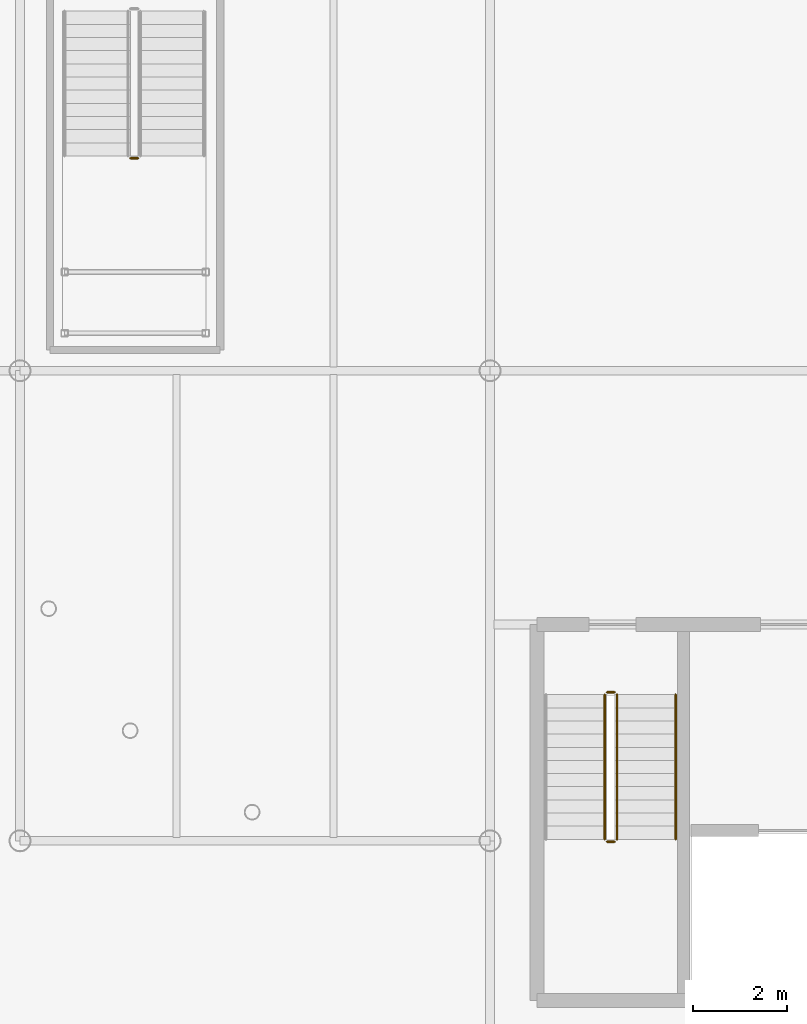
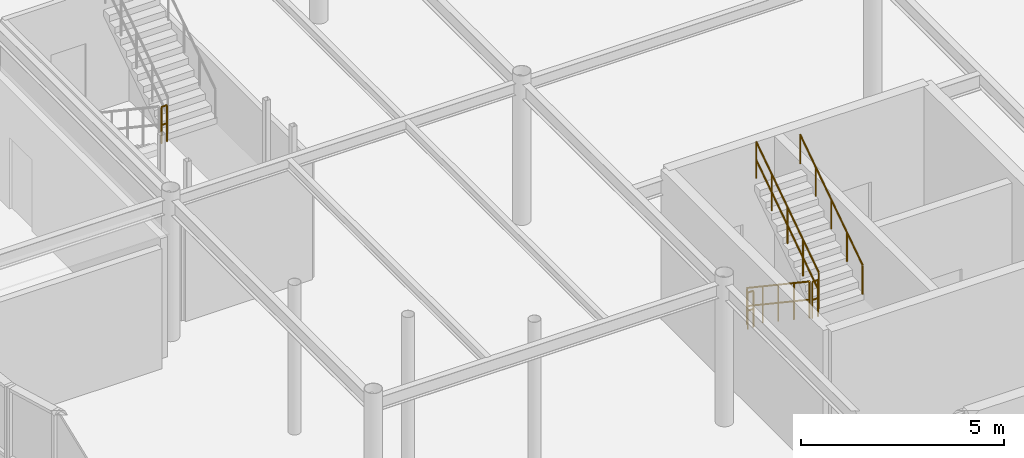
# One storey, part 105 of 119: 6 railings.
"""IFC4 building model written with IfcOpenShell, lengths in metres."""

import ifcopenshell
import ifcopenshell.guid

model = None  # the IFC model being written
_history = None  # IfcOwnerHistory: only IFC2X3 demands one
_inside = {}  # id of a spatial element -> (the spatial element, [elements in it])
_under = {}  # id of a project, library or spatial element -> (it, [spatial elements below it])
_declared = {}  # id of a project -> (the project, [libraries it declares])
_typed = {}  # id of a type object -> (the type object, [elements of that type])
_made_of = {}  # id of a material, layer set ... -> (it, [elements and type objects made of it])


def new_model(schema):
    """Start an empty IFC model of exactly this schema.

    Asked for "IFC4X3", IfcOpenShell would pick the latest addendum, in which some entities
    have other attributes; the version numbers below select the first issue.
    IFC2X3 requires an IfcOwnerHistory on every rooted entity: one is made here for all.
    """
    global model, _history
    if schema == "IFC4X3":
        model = ifcopenshell.file(schema_version=(4, 3, 0, 0))
    else:
        model = ifcopenshell.file(schema=schema)
    _inside.clear()
    _under.clear()
    _declared.clear()
    _typed.clear()
    _made_of.clear()
    _history = None
    if model.schema == "IFC2X3":
        org = make("IfcOrganization", Name="unknown")
        user = make(
            "IfcPersonAndOrganization",
            ThePerson=make("IfcPerson", FamilyName="unknown"),
            TheOrganization=org,
        )
        app = make(
            "IfcApplication",
            ApplicationDeveloper=org,
            Version="unknown",
            ApplicationFullName="unknown",
            ApplicationIdentifier="unknown",
        )
        _history = make(
            "IfcOwnerHistory",
            OwningUser=user,
            OwningApplication=app,
            ChangeAction="ADDED",
            CreationDate=0,
        )
    return model


def make(cls, **values):
    """One entity of the class cls with the attributes given. An attribute that is None is left unset."""
    return model.create_entity(
        cls, **{name: value for name, value in values.items() if value is not None}
    )


def rooted(cls, **values):
    """An entity with a GlobalId (a new one), such as an element, a storey or a relation."""
    return make(cls, GlobalId=ifcopenshell.guid.new(), OwnerHistory=_history, **values)


def si_unit(unit_type, name, prefix=None):
    """IfcSIUnit, for example si_unit("LENGTHUNIT", "METRE", prefix="MILLI")."""
    return make("IfcSIUnit", UnitType=unit_type, Prefix=prefix, Name=name)


def derived_unit(unit_type, elements):
    """IfcDerivedUnit: a product of units, each with its exponent."""
    return make(
        "IfcDerivedUnit",
        Elements=[
            make("IfcDerivedUnitElement", Unit=unit, Exponent=power)
            for unit, power in elements
        ],
        UnitType=unit_type,
    )


def assignment(units):
    """IfcUnitAssignment: the units of a project."""
    return None if units is None else make("IfcUnitAssignment", Units=units)


def point(xyz):
    """IfcCartesianPoint."""
    return None if xyz is None else make("IfcCartesianPoint", Coordinates=xyz)


def direction(xyz):
    """IfcDirection."""
    return None if xyz is None else make("IfcDirection", DirectionRatios=xyz)


def frame(location, z_axis=None, x_axis=None):
    """IfcAxis2Placement3D, a coordinate frame: its origin and axes. An axis left out is left unset."""
    return make(
        "IfcAxis2Placement3D",
        Location=point(location),
        Axis=direction(z_axis),
        RefDirection=direction(x_axis),
    )


def frame_2d(location, x_axis=None):
    """IfcAxis2Placement2D, a coordinate frame in the plane: its origin and x axis."""
    return make(
        "IfcAxis2Placement2D", Location=point(location), RefDirection=direction(x_axis)
    )


def origin():
    """The frame at (0, 0, 0) with its axes left unset."""
    return frame((0.0, 0.0, 0.0))


def origin_2d_with_axis():
    """The frame at (0, 0) in the plane with the x axis (1, 0) written out."""
    return frame_2d((0.0, 0.0), x_axis=(1.0, 0.0))


def place(relative_to, where):
    """IfcLocalPlacement: puts the frame where relative to a parent placement (None: the world)."""
    return make(
        "IfcLocalPlacement", PlacementRelTo=relative_to, RelativePlacement=where
    )


def context(
    kind, dimensions, precision=None, world=None, true_north=None, identifier=None
):
    """IfcGeometricRepresentationContext, for example the 3D "Model" context."""
    return make(
        "IfcGeometricRepresentationContext",
        ContextIdentifier=identifier,
        ContextType=kind,
        CoordinateSpaceDimension=dimensions,
        Precision=precision,
        WorldCoordinateSystem=world,
        TrueNorth=true_north,
    )


def subcontext(parent, identifier, kind, view, scale=None):
    """IfcGeometricRepresentationSubContext, for example "Body" below "Model"."""
    return make(
        "IfcGeometricRepresentationSubContext",
        ContextIdentifier=identifier,
        ContextType=kind,
        ParentContext=parent,
        TargetScale=scale,
        TargetView=view,
    )


def project(units=None, contexts=None):
    """IfcProject with its units and contexts."""
    return rooted(
        "IfcProject",
        Name="project",
        RepresentationContexts=contexts,
        UnitsInContext=assignment(units),
    )


def spatial(cls, under=None, at=None, **own):
    """A site, building, storey or space (cls), placed at a placement, below another one or the project."""
    s = rooted(cls, ObjectPlacement=at, **own)
    if under is not None:
        _under.setdefault(under.id(), (under, []))[1].append(s)
    return s


def profile(cls, at=None, kind="AREA", **sizes):
    """A parametric profile (cls). Its sizes go by their IFC names, for example OverallWidth=200.0."""
    return make(cls, ProfileType=kind, Position=at, **sizes)


def circle(**sizes):
    """IfcCircleProfileDef."""
    return profile("IfcCircleProfileDef", **sizes)


def extrude(swept, where, along, depth):
    """IfcExtrudedAreaSolid: the profile swept, set in the frame where, extruded along a direction by depth."""
    return make(
        "IfcExtrudedAreaSolid",
        SweptArea=swept,
        Position=where,
        ExtrudedDirection=direction(along),
        Depth=depth,
    )


def shape(context_of_items, identifier, shape_type, items):
    """IfcShapeRepresentation: the items that make up one representation, for example the "Body"."""
    return make(
        "IfcShapeRepresentation",
        ContextOfItems=context_of_items,
        RepresentationIdentifier=identifier,
        RepresentationType=shape_type,
        Items=items,
    )


def material(Name=None, Category=None):
    """IfcMaterial."""
    return make("IfcMaterial", Name=Name, Category=Category)


def layer(
    of_material, thickness, ventilated=None, Name=None, Category=None, Priority=None
):
    """IfcMaterialLayer: one layer of a wall or slab, of a material (None: an air gap)."""
    return make(
        "IfcMaterialLayer",
        Material=of_material,
        LayerThickness=thickness,
        IsVentilated=ventilated,
        Name=Name,
        Category=Category,
        Priority=Priority,
    )


def layer_set(layers, Name=None):
    """IfcMaterialLayerSet."""
    return make("IfcMaterialLayerSet", MaterialLayers=layers, LayerSetName=Name)


def made_of(thing, what):
    """Note that an element or type object is made of a material, layer set ...; save() writes the relation."""
    if what is not None:
        _made_of.setdefault(what.id(), (what, []))[1].append(thing)
    return thing


def type_object(cls, material=None, **own):
    """A type object (cls), such as IfcWallType, which elements share."""
    return made_of(rooted(cls, **own), material)


def element(
    cls,
    number,
    at=None,
    inside=None,
    cuts=None,
    type_object=None,
    material=None,
    context=None,
    identifier="Body",
    shape_type=None,
    held_by="IfcProductDefinitionShape",
    body=None,
    shapes=None,
    **own,
):
    """One element of the class cls, such as IfcWall. Its Tag is "e" and its number.

    at: its placement. inside: the storey or other place that contains it. cuts: it is an
    opening in that element (IfcRelVoidsElement). A single representation is given by context,
    identifier, shape_type and body (its items); several are given by shapes. held_by: the class
    of the entity that holds the representations. save() writes the other relations.
    """
    e = rooted(cls, Tag="e%d" % number, ObjectPlacement=at, **own)
    if body is not None:
        shapes = [shape(context, identifier, shape_type, body)]
    if shapes is not None:
        e.Representation = make(held_by, Representations=shapes)
    if inside is not None:
        _inside.setdefault(inside.id(), (inside, []))[1].append(e)
    if cuts is not None:
        rooted(
            "IfcRelVoidsElement", RelatingBuildingElement=cuts, RelatedOpeningElement=e
        )
    if type_object is not None:
        _typed.setdefault(type_object.id(), (type_object, []))[1].append(e)
    return made_of(e, material)


def aggregate(whole, parts):
    """IfcRelAggregates: a whole, such as a stair, and the parts it consists of."""
    return rooted("IfcRelAggregates", RelatingObject=whole, RelatedObjects=parts)


def save(model, path):
    """Write the relations noted so far, then the file.

    IfcRelAggregates (storeys below a building ...), IfcRelContainedInSpatialStructure (elements
    in a storey), IfcRelDefinesByType, IfcRelAssociatesMaterial and IfcRelDeclares: one each for
    every whole, place, type object, material and project.
    """
    for whole, parts in _under.values():
        aggregate(whole, parts)
    for where, things in _inside.values():
        rooted(
            "IfcRelContainedInSpatialStructure",
            RelatedElements=things,
            RelatingStructure=where,
        )
    for kind, things in _typed.values():
        rooted("IfcRelDefinesByType", RelatedObjects=things, RelatingType=kind)
    for what, things in _made_of.values():
        rooted("IfcRelAssociatesMaterial", RelatedObjects=things, RelatingMaterial=what)
    for by, libraries in _declared.values():
        rooted("IfcRelDeclares", RelatingContext=by, RelatedDefinitions=libraries)
    model.write(path)


model = new_model("IFC4")

# Units and contexts
model_context = context("Model", 3, precision=1e-05, world=origin(), true_north=direction((0.0, 1.0)))
body_context = subcontext(model_context, "Body", "Model", "MODEL_VIEW")
ifc_project = project(units=[si_unit("LENGTHUNIT", "METRE"), si_unit("AREAUNIT", "SQUARE_METRE"), si_unit("VOLUMEUNIT", "CUBIC_METRE"), si_unit("PLANEANGLEUNIT", "RADIAN"), si_unit("MASSUNIT", "GRAM", prefix="KILO"), derived_unit("THERMALTRANSMITTANCEUNIT", [(si_unit("POWERUNIT", "WATT"), 1), (si_unit("LENGTHUNIT", "METRE"), -2), (si_unit("THERMODYNAMICTEMPERATUREUNIT", "KELVIN"), -1)])], contexts=[model_context])

# Site, building, storey
site_placement = place(None, origin())
site = spatial("IfcSite", under=ifc_project, at=site_placement, CompositionType="ELEMENT")
building_placement = place(site_placement, origin())
building = spatial("IfcBuilding", under=site, at=building_placement, Name="Cinnabar Yard Market Hall", CompositionType="ELEMENT")
storey_placement = place(building_placement, origin())
storey = spatial("IfcBuildingStorey", under=building, at=storey_placement, Name="L00", CompositionType="ELEMENT", Elevation=0.0)

# Railings
ifc_material_1 = material(Name="Laminated glass and bronze handrail", Category="glass")
ifc_layer_1 = layer(ifc_material_1, 0.070068359375)
ifc_layer_set_1 = layer_set([ifc_layer_1], Name="Laminated glass and bronze handrail")
railing_type_1 = type_object("IfcRailingType", Name="RL-G01", PredefinedType="BALUSTRADE", material=ifc_layer_set_1)
railing_1_placement = place(storey_placement, frame((78.35009765625, 38.52001953125, 2.25)))
element("IfcRailing", 1, at=railing_1_placement, inside=storey, type_object=railing_type_1, Name="L00 ST-F1 stair guard 2", PredefinedType="BALUSTRADE", context=body_context, shape_type="SweptSolid", body=[
    extrude(circle(Radius=0.02392578125, at=origin_2d_with_axis()), frame((0.0, 0.0, 1.09619140625), z_axis=(1.0, 0.0, 0.0), x_axis=(0.0, 1.0, 0.0)), (0.0, 0.0, 1.0), 0.159912109375),
    extrude(circle(Radius=0.02392578125, at=origin_2d_with_axis()), frame((0.0, 0.0, 0.550048828125), z_axis=(1.0, 0.0, 0.0), x_axis=(0.0, 1.0, 0.0)), (0.0, 0.0, 1.0), 0.159912109375),
    extrude(circle(Radius=0.02099609375, at=origin_2d_with_axis()), origin(), (0.0, 0.0, 1.0), 1.072021484375),
    extrude(circle(Radius=0.02099609375, at=origin_2d_with_axis()), frame((0.159912109375, 0.0, 0.0)), (0.0, 0.0, 1.0), 1.072021484375),
])
ifc_material_2 = material(Name="Galvanised steel Grade 300 (300 MPa) guardrail", Category="steel")
ifc_layer_2 = layer(ifc_material_2, 0.06005859375)
ifc_layer_set_2 = layer_set([ifc_layer_2], Name="Galvanised steel Grade 300 (300 MPa) guardrail")
railing_type_2 = type_object("IfcRailingType", Name="RL-G03", PredefinedType="GUARDRAIL", material=ifc_layer_set_2)
railing_2_placement = place(storey_placement, frame((88.43994140625, 27.110107421875, 0.1875)))
element("IfcRailing", 2, at=railing_2_placement, inside=storey, type_object=railing_type_2, Name="L00 ST-C1 stair guard 1", PredefinedType="GUARDRAIL", context=body_context, shape_type="SweptSolid", body=[
    extrude(circle(Radius=0.02392578125, at=origin_2d_with_axis()), frame((0.0, 0.0, 1.09619140625), z_axis=(0.0, -0.830913701846, 0.55640131208), x_axis=(1.0, 0.0, 0.0)), (0.0, 0.0, 1.0), 3.706787109375),
    extrude(circle(Radius=0.02392578125, at=origin_2d_with_axis()), frame((0.0, 0.0, 0.550048828125), z_axis=(0.0, -0.830913701846, 0.55640131208), x_axis=(1.0, 0.0, 0.0)), (0.0, 0.0, 1.0), 3.706787109375),
    extrude(circle(Radius=0.02099609375, at=origin_2d_with_axis()), origin(), (0.0, 0.0, 1.0), 1.072021484375),
    extrude(circle(Radius=0.02099609375, at=origin_2d_with_axis()), frame((0.0, -0.77001953125, 0.515625)), (0.0, 0.0, 1.0), 1.072021484375),
    extrude(circle(Radius=0.02099609375, at=origin_2d_with_axis()), frame((0.0, -1.5400390625, 1.03125)), (0.0, 0.0, 1.0), 1.072021484375),
    extrude(circle(Radius=0.02099609375, at=origin_2d_with_axis()), frame((0.0, -2.31005859375, 1.546875)), (0.0, 0.0, 1.0), 1.072021484375),
    extrude(circle(Radius=0.02099609375, at=origin_2d_with_axis()), frame((0.0, -3.080078125, 2.0625)), (0.0, 0.0, 1.0), 1.072021484375),
])
railing_3_placement = place(storey_placement, frame((88.489990234375, 23.97998046875, 2.25)))
element("IfcRailing", 3, at=railing_3_placement, inside=storey, type_object=railing_type_2, Name="L00 ST-C1 stair guard 2", PredefinedType="GUARDRAIL", context=body_context, shape_type="SweptSolid", body=[
    extrude(circle(Radius=0.02392578125, at=origin_2d_with_axis()), frame((0.0, 0.0, 1.09619140625), z_axis=(1.0, 0.0, 0.0), x_axis=(0.0, 1.0, 0.0)), (0.0, 0.0, 1.0), 0.159912109375),
    extrude(circle(Radius=0.02392578125, at=origin_2d_with_axis()), frame((0.0, 0.0, 0.550048828125), z_axis=(1.0, 0.0, 0.0), x_axis=(0.0, 1.0, 0.0)), (0.0, 0.0, 1.0), 0.159912109375),
    extrude(circle(Radius=0.02099609375, at=origin_2d_with_axis()), origin(), (0.0, 0.0, 1.0), 1.072021484375),
    extrude(circle(Radius=0.02099609375, at=origin_2d_with_axis()), frame((0.159912109375, 0.0, 0.0)), (0.0, 0.0, 1.0), 1.072021484375),
])
railing_4_placement = place(storey_placement, frame((88.699951171875, 24.030029296875, 2.4375)))
element("IfcRailing", 4, at=railing_4_placement, inside=storey, type_object=railing_type_2, Name="L00 ST-C1 stair guard 3", PredefinedType="GUARDRAIL", context=body_context, shape_type="SweptSolid", body=[
    extrude(circle(Radius=0.02392578125, at=origin_2d_with_axis()), frame((0.0, 0.0, 1.09619140625), z_axis=(0.0, 0.830913701846, 0.55640131208), x_axis=(-1.0, 0.0, 0.0)), (0.0, 0.0, 1.0), 3.706787109375),
    extrude(circle(Radius=0.02392578125, at=origin_2d_with_axis()), frame((0.0, 0.0, 0.550048828125), z_axis=(0.0, 0.830913701846, 0.55640131208), x_axis=(-1.0, 0.0, 0.0)), (0.0, 0.0, 1.0), 3.706787109375),
    extrude(circle(Radius=0.02099609375, at=origin_2d_with_axis()), origin(), (0.0, 0.0, 1.0), 1.072021484375),
    extrude(circle(Radius=0.02099609375, at=origin_2d_with_axis()), frame((0.0, 0.77001953125, 0.515625)), (0.0, 0.0, 1.0), 1.072021484375),
    extrude(circle(Radius=0.02099609375, at=origin_2d_with_axis()), frame((0.0, 1.5400390625, 1.03125)), (0.0, 0.0, 1.0), 1.072021484375),
    extrude(circle(Radius=0.02099609375, at=origin_2d_with_axis()), frame((0.0, 2.31005859375, 1.546875)), (0.0, 0.0, 1.0), 1.072021484375),
    extrude(circle(Radius=0.02099609375, at=origin_2d_with_axis()), frame((0.0, 3.080078125, 2.0625)), (0.0, 0.0, 1.0), 1.072021484375),
])
railing_5_placement = place(storey_placement, frame((88.489990234375, 27.159912109375, 0.0)))
element("IfcRailing", 5, at=railing_5_placement, inside=storey, type_object=railing_type_2, Name="L00 ST-C1 stair guard 4", PredefinedType="GUARDRAIL", context=body_context, shape_type="SweptSolid", body=[
    extrude(circle(Radius=0.02392578125, at=origin_2d_with_axis()), frame((0.0, 0.0, 1.09619140625), z_axis=(1.0, 0.0, 0.0), x_axis=(0.0, 1.0, 0.0)), (0.0, 0.0, 1.0), 0.159912109375),
    extrude(circle(Radius=0.02392578125, at=origin_2d_with_axis()), frame((0.0, 0.0, 0.550048828125), z_axis=(1.0, 0.0, 0.0), x_axis=(0.0, 1.0, 0.0)), (0.0, 0.0, 1.0), 0.159912109375),
    extrude(circle(Radius=0.02099609375, at=origin_2d_with_axis()), origin(), (0.0, 0.0, 1.0), 1.072021484375),
    extrude(circle(Radius=0.02099609375, at=origin_2d_with_axis()), frame((0.159912109375, 0.0, 0.0)), (0.0, 0.0, 1.0), 1.072021484375),
])
ifc_material_3 = material(Name="Brushed stainless steel handrail", Category="steel")
ifc_layer_3 = layer(ifc_material_3, 0.050048828125)
ifc_layer_set_3 = layer_set([ifc_layer_3], Name="Brushed stainless steel handrail")
railing_type_3 = type_object("IfcRailingType", Name="RL-HR1", PredefinedType="HANDRAIL", material=ifc_layer_set_3)
railing_6_placement = place(storey_placement, frame((89.949951171875, 24.030029296875, 2.4375)))
element("IfcRailing", 6, at=railing_6_placement, inside=storey, type_object=railing_type_3, Name="L00 ST-C1 stair handrail 2", PredefinedType="HANDRAIL", context=body_context, shape_type="SweptSolid", body=[
    extrude(circle(Radius=0.02392578125, at=origin_2d_with_axis()), frame((0.0, 0.0, 0.8759765625), z_axis=(0.0, 0.830913701846, 0.55640131208), x_axis=(-1.0, 0.0, 0.0)), (0.0, 0.0, 1.0), 3.706787109375),
    extrude(circle(Radius=0.02099609375, at=origin_2d_with_axis()), origin(), (0.0, 0.0, 1.0), 0.851806640625),
    extrude(circle(Radius=0.02099609375, at=origin_2d_with_axis()), frame((0.0, 0.77001953125, 0.515625)), (0.0, 0.0, 1.0), 0.851806640625),
    extrude(circle(Radius=0.02099609375, at=origin_2d_with_axis()), frame((0.0, 1.5400390625, 1.03125)), (0.0, 0.0, 1.0), 0.851806640625),
    extrude(circle(Radius=0.02099609375, at=origin_2d_with_axis()), frame((0.0, 2.31005859375, 1.546875)), (0.0, 0.0, 1.0), 0.851806640625),
    extrude(circle(Radius=0.02099609375, at=origin_2d_with_axis()), frame((0.0, 3.080078125, 2.0625)), (0.0, 0.0, 1.0), 0.851806640625),
])

save(model, "model.ifc")
